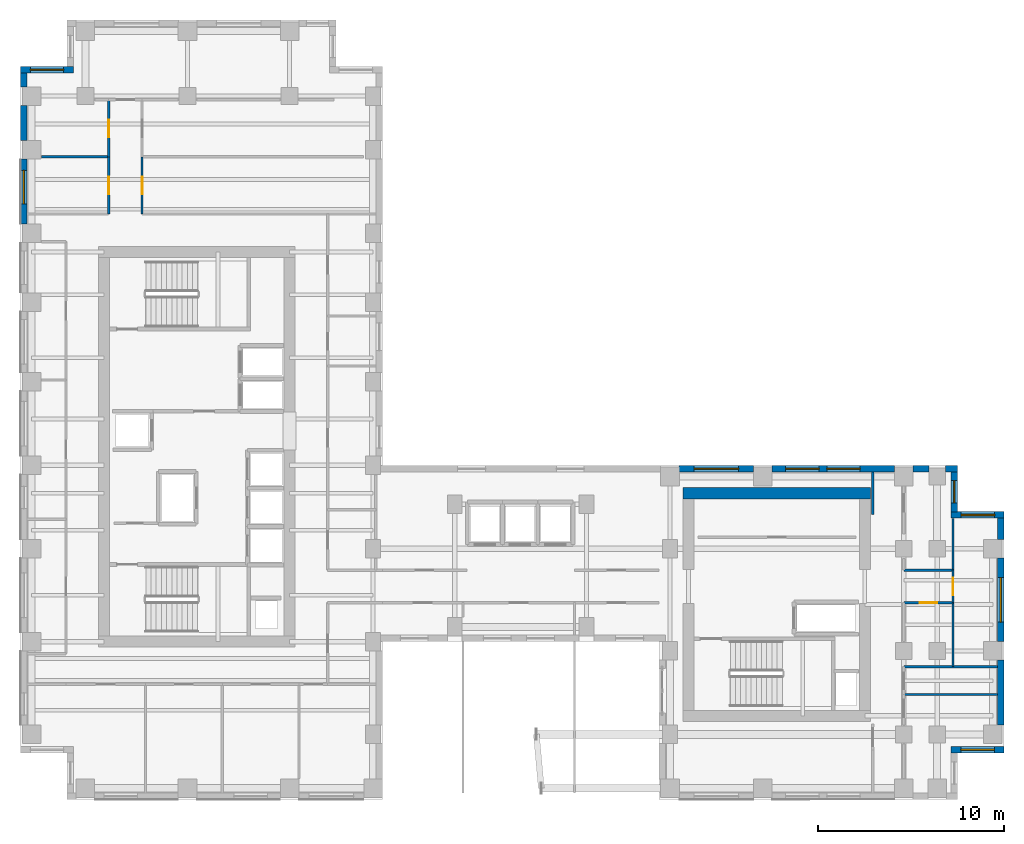
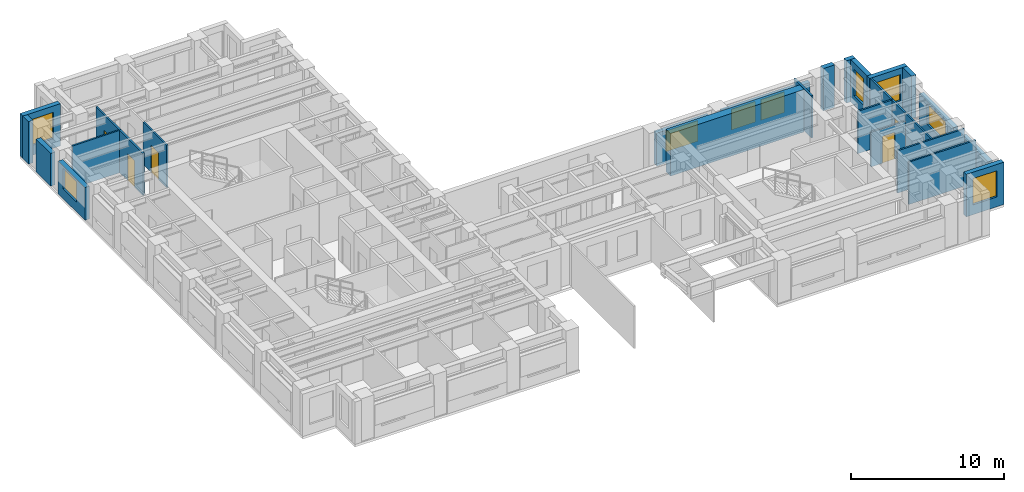
# One storey, part 10 of 13: 27 walls, 9 windows, 5 doors, 14 openings.
"""IFC4 building model written with IfcOpenShell, lengths in metres."""

from ifc_helpers import new_model, si_unit, direction, frame, frame_2d, origin, place, context, subcontext, project, spatial, rectangle, extrude, source, transform, mapped, material, layer, layer_set, type_object, element, fill, save


model = new_model("IFC4")

# Units and contexts
model_context = context("Model", 3, precision=1e-05, world=origin(), true_north=direction((0.0, 1.0)))
body_context = subcontext(model_context, "Body", "Model", "MODEL_VIEW")
ifc_project = project(units=[si_unit("LENGTHUNIT", "METRE"), si_unit("AREAUNIT", "SQUARE_METRE"), si_unit("VOLUMEUNIT", "CUBIC_METRE"), si_unit("PLANEANGLEUNIT", "RADIAN"), si_unit("MASSUNIT", "GRAM", prefix="KILO")], contexts=[model_context])

# Site, building, storey
site_placement = place(None, origin())
site = spatial("IfcSite", under=ifc_project, at=site_placement, CompositionType="ELEMENT")
building_placement = place(site_placement, origin())
building = spatial("IfcBuilding", under=site, at=building_placement, Name="Kharzan Plaza Tower", CompositionType="ELEMENT")
storey_placement = place(building_placement, frame((0.0, 0.0, 189.89990234375)))
storey = spatial("IfcBuildingStorey", under=building, at=storey_placement, Name="L51", CompositionType="ELEMENT", Elevation=189.89990234375)

# Wall, opening, window
ifc_material_1 = material(Name="Concrete C40/50", Category="concrete")
ifc_layer_1 = layer(ifc_material_1, 0.35009765625)
ifc_layer_set_1 = layer_set([ifc_layer_1], Name="Concrete C40/50")
wall_type_1 = type_object("IfcWallType", Name="WL-EXT-MAS-Z3", PredefinedType="SOLIDWALL", material=ifc_layer_set_1)
wall_1_placement = place(storey_placement, frame((2.85009765625, 39.324951171875, 0.0), z_axis=(0.0, 0.0, 1.0), x_axis=(-1.0, 0.0, 0.0)))
wall_1 = element("IfcWall", 1, at=wall_1_placement, inside=storey, type_object=wall_type_1, Name="L51 Masonry-Frame Exterior Wall 08", PredefinedType="SOLIDWALL", context=body_context, shape_type="SweptSolid", body=[
    extrude(rectangle(XDim=2.85009765625, YDim=0.35009765625, at=frame_2d((1.425048828125, 0.0))), origin(), (0.0, 0.0, 1.0), 3.385009765625),
])
opening_1_placement = place(wall_1_placement, frame((0.52490234375, 0.0, 0.780029296875)))
opening_1 = element("IfcOpeningElement", 2, at=opening_1_placement, cuts=wall_1, Name="Opening W1", PredefinedType="OPENING", context=body_context, shape_type="SweptSolid", body=[
    extrude(rectangle(XDim=1.800048828125, YDim=2.10009765625, at=frame_2d((0.89990234375, 1.050048828125))), frame((0.0, 0.18505859375, 0.0), z_axis=(0.0, -1.0, 0.0), x_axis=(1.0, 0.0, 0.0)), (0.0, 0.0, 1.0), 0.3701171875),
])
ifc_material_2 = material(Name="Low-E Double Glazing", Category="glass")
window_type_1 = type_object("IfcWindowType", Name="WN-REC-1800x2100", PartitioningType="SINGLE_PANEL", PredefinedType="WINDOW", material=ifc_material_2)
shared_shape_1 = source(origin(), body_context, "Body", "SweptSolid", [
    extrude(rectangle(XDim=1.800048828125, YDim=2.10009765625, at=frame_2d((0.89990234375, 1.050048828125))), frame((0.0, 0.030029296875, 0.0), z_axis=(0.0, -1.0, 0.0), x_axis=(1.0, 0.0, 0.0)), (0.0, 0.0, 1.0), 0.06005859375),
])
window_1_placement = place(opening_1_placement, origin())
window_1 = element("IfcWindow", 3, at=window_1_placement, inside=storey, type_object=window_type_1, Name="L51 Recessed Solar-Control Window 08-1", OverallHeight=2.10009765625, OverallWidth=1.800048828125, PartitioningType="SINGLE_PANEL", PredefinedType="WINDOW", context=body_context, shape_type="MappedRepresentation", body=[
    mapped(shared_shape_1, transform((0.0, 0.0, 0.0), x_axis=(1.0, 0.0, 0.0), y_axis=(0.0, 1.0, 0.0), z_axis=(0.0, 0.0, 1.0))),
])
fill(opening_1, window_1)

wall_2_placement = place(storey_placement, frame((0.175048828125, 34.501953125, 0.0), z_axis=(0.0, 0.0, 1.0), x_axis=(0.0, -1.0, 0.0)))
wall_2 = element("IfcWall", 4, at=wall_2_placement, inside=storey, type_object=wall_type_1, Name="L51 Masonry-Frame Exterior Wall 11", PredefinedType="SOLIDWALL", context=body_context, shape_type="SweptSolid", body=[
    extrude(rectangle(XDim=3.50390625, YDim=0.35009765625, at=frame_2d((1.751953125, 0.0))), origin(), (0.0, 0.0, 1.0), 2.612060546875),
])
opening_2_placement = place(wall_2_placement, frame((0.611083984375, 0.0, 0.780029296875)))
opening_2 = element("IfcOpeningElement", 5, at=opening_2_placement, cuts=wall_2, Name="Opening W1", PredefinedType="OPENING", context=body_context, shape_type="SweptSolid", body=[
    extrude(rectangle(XDim=1.800048828125, YDim=1.652099609375, at=frame_2d((0.89990234375, 0.826171875))), frame((0.0, 0.18505859375, 0.0), z_axis=(0.0, -1.0, 0.0), x_axis=(1.0, 0.0, 0.0)), (0.0, 0.0, 1.0), 0.3701171875),
])
shared_shape_2 = source(origin(), body_context, "Body", "SweptSolid", [
    extrude(rectangle(XDim=1.800048828125, YDim=1.652099609375, at=frame_2d((0.89990234375, 0.826171875))), frame((0.0, 0.030029296875, 0.0), z_axis=(0.0, -1.0, 0.0), x_axis=(1.0, 0.0, 0.0)), (0.0, 0.0, 1.0), 0.06005859375),
])
window_2_placement = place(opening_2_placement, origin())
window_2 = element("IfcWindow", 6, at=window_2_placement, inside=storey, type_object=window_type_1, Name="L51 Recessed Solar-Control Window 11-1", OverallHeight=1.652099609375, OverallWidth=1.800048828125, PartitioningType="SINGLE_PANEL", PredefinedType="WINDOW", context=body_context, shape_type="MappedRepresentation", body=[
    mapped(shared_shape_2, transform((0.0, 0.0, 0.0), x_axis=(1.0, 0.0, 0.0), y_axis=(0.0, 1.0, 0.0), z_axis=(0.0, 0.0, 1.0))),
])
fill(opening_2, window_2)

wall_3_placement = place(storey_placement, frame((50.14990234375, 2.675048828125, 0.0), z_axis=(0.0, 0.0, 1.0), x_axis=(1.0, 0.0, 0.0)))
wall_3 = element("IfcWall", 7, at=wall_3_placement, inside=storey, type_object=wall_type_1, Name="L51 Masonry-Frame Exterior Wall 37", PredefinedType="SOLIDWALL", context=body_context, shape_type="SweptSolid", body=[
    extrude(rectangle(XDim=2.85009765625, YDim=0.35009765625, at=frame_2d((1.425048828125, 0.0))), origin(), (0.0, 0.0, 1.0), 3.385009765625),
])
opening_3_placement = place(wall_3_placement, frame((0.52490234375, 0.0, 0.780029296875)))
opening_3 = element("IfcOpeningElement", 8, at=opening_3_placement, cuts=wall_3, Name="Opening W1", PredefinedType="OPENING", context=body_context, shape_type="SweptSolid", body=[
    extrude(rectangle(XDim=1.800048828125, YDim=2.10009765625, at=frame_2d((0.89990234375, 1.050048828125))), frame((0.0, 0.18505859375, 0.0), z_axis=(0.0, -1.0, 0.0), x_axis=(1.0, 0.0, 0.0)), (0.0, 0.0, 1.0), 0.3701171875),
])
window_3_placement = place(opening_3_placement, origin())
window_3 = element("IfcWindow", 9, at=window_3_placement, inside=storey, type_object=window_type_1, Name="L51 Recessed Solar-Control Window 37-1", OverallHeight=2.10009765625, OverallWidth=1.800048828125, PartitioningType="SINGLE_PANEL", PredefinedType="WINDOW", context=body_context, shape_type="MappedRepresentation", body=[
    mapped(shared_shape_1, transform((0.0, 0.0, 0.0), x_axis=(1.0, 0.0, 0.0), y_axis=(0.0, 1.0, 0.0), z_axis=(0.0, 0.0, 1.0))),
])
fill(opening_3, window_3)

wall_4_placement = place(storey_placement, frame((52.824951171875, 8.498046875, 0.0), z_axis=(0.0, 0.0, 1.0), x_axis=(0.0, 1.0, 0.0)))
wall_4 = element("IfcWall", 10, at=wall_4_placement, inside=storey, type_object=wall_type_1, Name="L51 Masonry-Frame Exterior Wall 39", PredefinedType="SOLIDWALL", context=body_context, shape_type="SweptSolid", body=[
    extrude(rectangle(XDim=4.50390625, YDim=0.35009765625, at=frame_2d((2.251953125, 0.0))), origin(), (0.0, 0.0, 1.0), 2.612060546875),
])
opening_4_placement = place(wall_4_placement, frame((1.052001953125, 0.0, 0.780029296875)))
opening_4 = element("IfcOpeningElement", 11, at=opening_4_placement, cuts=wall_4, Name="Opening W2", PredefinedType="OPENING", context=body_context, shape_type="SweptSolid", body=[
    extrude(rectangle(XDim=2.39990234375, YDim=1.652099609375, at=frame_2d((1.199951171875, 0.826171875))), frame((0.0, 0.18505859375, 0.0), z_axis=(0.0, -1.0, 0.0), x_axis=(1.0, 0.0, 0.0)), (0.0, 0.0, 1.0), 0.3701171875),
])
window_type_2 = type_object("IfcWindowType", Name="WN-REC-2400x2100", PartitioningType="SINGLE_PANEL", PredefinedType="WINDOW", material=ifc_material_2)
shared_shape_3 = source(origin(), body_context, "Body", "SweptSolid", [
    extrude(rectangle(XDim=2.39990234375, YDim=1.652099609375, at=frame_2d((1.199951171875, 0.826171875))), frame((0.0, 0.030029296875, 0.0), z_axis=(0.0, -1.0, 0.0), x_axis=(1.0, 0.0, 0.0)), (0.0, 0.0, 1.0), 0.06005859375),
])
window_4_placement = place(opening_4_placement, origin())
window_4 = element("IfcWindow", 12, at=window_4_placement, inside=storey, type_object=window_type_2, Name="L51 Wide Recessed Solar-Control Window 39-1", OverallHeight=1.652099609375, OverallWidth=2.39990234375, PartitioningType="SINGLE_PANEL", PredefinedType="WINDOW", context=body_context, shape_type="MappedRepresentation", body=[
    mapped(shared_shape_3, transform((0.0, 0.0, 0.0), x_axis=(1.0, 0.0, 0.0), y_axis=(0.0, 1.0, 0.0), z_axis=(0.0, 0.0, 1.0))),
])
fill(opening_4, window_4)

wall_5_placement = place(storey_placement, frame((53.0, 15.324951171875, 0.0), z_axis=(0.0, 0.0, 1.0), x_axis=(-1.0, 0.0, 0.0)))
wall_5 = element("IfcWall", 13, at=wall_5_placement, inside=storey, type_object=wall_type_1, Name="L51 Masonry-Frame Exterior Wall 41", PredefinedType="SOLIDWALL", context=body_context, shape_type="SweptSolid", body=[
    extrude(rectangle(XDim=2.85009765625, YDim=0.35009765625, at=frame_2d((1.425048828125, 0.0))), origin(), (0.0, 0.0, 1.0), 3.385009765625),
])
opening_5_placement = place(wall_5_placement, frame((0.510009765625, 0.0, 0.780029296875)))
opening_5 = element("IfcOpeningElement", 14, at=opening_5_placement, cuts=wall_5, Name="Opening W1", PredefinedType="OPENING", context=body_context, shape_type="SweptSolid", body=[
    extrude(rectangle(XDim=1.800048828125, YDim=2.10009765625, at=frame_2d((0.89990234375, 1.050048828125))), frame((0.0, 0.18505859375, 0.0), z_axis=(0.0, -1.0, 0.0), x_axis=(1.0, 0.0, 0.0)), (0.0, 0.0, 1.0), 0.3701171875),
])
window_5_placement = place(opening_5_placement, origin())
window_5 = element("IfcWindow", 15, at=window_5_placement, inside=storey, type_object=window_type_1, Name="L51 Recessed Solar-Control Window 41-1", OverallHeight=2.10009765625, OverallWidth=1.800048828125, PartitioningType="SINGLE_PANEL", PredefinedType="WINDOW", context=body_context, shape_type="MappedRepresentation", body=[
    mapped(shared_shape_1, transform((0.0, 0.0, 0.0), x_axis=(1.0, 0.0, 0.0), y_axis=(0.0, 1.0, 0.0), z_axis=(0.0, 0.0, 1.0))),
])
fill(opening_5, window_5)

wall_6_placement = place(storey_placement, frame((50.324951171875, 15.498046875, 0.0), z_axis=(0.0, 0.0, 1.0), x_axis=(0.0, 1.0, 0.0)))
wall_6 = element("IfcWall", 16, at=wall_6_placement, inside=storey, type_object=wall_type_1, Name="L51 Masonry-Frame Exterior Wall 42", PredefinedType="SOLIDWALL", context=body_context, shape_type="SweptSolid", body=[
    extrude(rectangle(XDim=2.154052734375, YDim=0.35009765625, at=frame_2d((1.0771484375, 0.0))), origin(), (0.0, 0.0, 1.0), 3.385009765625),
])
opening_6_placement = place(wall_6_placement, frame((0.47705078125, 0.0, 0.780029296875)))
opening_6 = element("IfcOpeningElement", 17, at=opening_6_placement, cuts=wall_6, Name="Opening W3", PredefinedType="OPENING", context=body_context, shape_type="SweptSolid", body=[
    extrude(rectangle(XDim=1.199951171875, YDim=2.10009765625, at=frame_2d((0.60009765625, 1.050048828125))), frame((0.0, 0.18505859375, 0.0), z_axis=(0.0, -1.0, 0.0), x_axis=(1.0, 0.0, 0.0)), (0.0, 0.0, 1.0), 0.3701171875),
])
window_type_3 = type_object("IfcWindowType", Name="WN-REC-1200x2100", PartitioningType="SINGLE_PANEL", PredefinedType="WINDOW", material=ifc_material_2)
shared_shape_4 = source(origin(), body_context, "Body", "SweptSolid", [
    extrude(rectangle(XDim=1.199951171875, YDim=2.10009765625, at=frame_2d((0.60009765625, 1.050048828125))), frame((0.0, 0.030029296875, 0.0), z_axis=(0.0, -1.0, 0.0), x_axis=(1.0, 0.0, 0.0)), (0.0, 0.0, 1.0), 0.06005859375),
])
window_6_placement = place(opening_6_placement, origin())
window_6 = element("IfcWindow", 18, at=window_6_placement, inside=storey, type_object=window_type_3, Name="L51 Recessed Solar-Control Window 42-1", OverallHeight=2.10009765625, OverallWidth=1.199951171875, PartitioningType="SINGLE_PANEL", PredefinedType="WINDOW", context=body_context, shape_type="MappedRepresentation", body=[
    mapped(shared_shape_4, transform((0.0, 0.0, 0.0), x_axis=(1.0, 0.0, 0.0), y_axis=(0.0, 1.0, 0.0), z_axis=(0.0, 0.0, 1.0))),
])
fill(opening_6, window_6)

# Wall, openings, windows
wall_7_placement = place(storey_placement, frame((47.10205078125, 17.824951171875, 0.0), z_axis=(0.0, 0.0, 1.0), x_axis=(-1.0, 0.0, 0.0)))
wall_7 = element("IfcWall", 19, at=wall_7_placement, inside=storey, type_object=wall_type_1, Name="L51 Masonry-Frame Exterior Wall 45", PredefinedType="SOLIDWALL", context=body_context, shape_type="SweptSolid", body=[
    extrude(rectangle(XDim=6.60400390625, YDim=0.35009765625, at=frame_2d((3.302001953125, 0.0))), origin(), (0.0, 0.0, 1.0), 2.612060546875),
])
opening_7_placement = place(wall_7_placement, frame((1.849365234375, 0.0, 0.780029296875)))
opening_7 = element("IfcOpeningElement", 20, at=opening_7_placement, cuts=wall_7, Name="Opening W1", PredefinedType="OPENING", context=body_context, shape_type="SweptSolid", body=[
    extrude(rectangle(XDim=1.800048828125, YDim=1.652099609375, at=frame_2d((0.89990234375, 0.826171875))), frame((0.0, 0.18505859375, 0.0), z_axis=(0.0, -1.0, 0.0), x_axis=(1.0, 0.0, 0.0)), (0.0, 0.0, 1.0), 0.3701171875),
])
opening_8_placement = place(wall_7_placement, frame((4.066650390625, 0.0, 0.780029296875)))
opening_8 = element("IfcOpeningElement", 21, at=opening_8_placement, cuts=wall_7, Name="Opening W1", PredefinedType="OPENING", context=body_context, shape_type="SweptSolid", body=[
    extrude(rectangle(XDim=1.800048828125, YDim=1.652099609375, at=frame_2d((0.89990234375, 0.826171875))), frame((0.0, 0.18505859375, 0.0), z_axis=(0.0, -1.0, 0.0), x_axis=(1.0, 0.0, 0.0)), (0.0, 0.0, 1.0), 0.3701171875),
])
window_7_placement = place(opening_7_placement, origin())
window_7 = element("IfcWindow", 22, at=window_7_placement, inside=storey, type_object=window_type_1, Name="L51 Recessed Solar-Control Window 45-1", OverallHeight=1.652099609375, OverallWidth=1.800048828125, PartitioningType="SINGLE_PANEL", PredefinedType="WINDOW", context=body_context, shape_type="MappedRepresentation", body=[
    mapped(shared_shape_2, transform((0.0, 0.0, 0.0), x_axis=(1.0, 0.0, 0.0), y_axis=(0.0, 1.0, 0.0), z_axis=(0.0, 0.0, 1.0))),
])
fill(opening_7, window_7)
window_8_placement = place(opening_8_placement, origin())
window_8 = element("IfcWindow", 23, at=window_8_placement, inside=storey, type_object=window_type_1, Name="L51 Recessed Solar-Control Window 45-2", OverallHeight=1.652099609375, OverallWidth=1.800048828125, PartitioningType="SINGLE_PANEL", PredefinedType="WINDOW", context=body_context, shape_type="MappedRepresentation", body=[
    mapped(shared_shape_2, transform((0.0, 0.0, 0.0), x_axis=(1.0, 0.0, 0.0), y_axis=(0.0, 1.0, 0.0), z_axis=(0.0, 0.0, 1.0))),
])
fill(opening_8, window_8)

# Wall, opening, window
wall_8_placement = place(storey_placement, frame((39.501953125, 17.824951171875, 0.0), z_axis=(0.0, 0.0, 1.0), x_axis=(-1.0, 0.0, 0.0)))
wall_8 = element("IfcWall", 24, at=wall_8_placement, inside=storey, type_object=wall_type_1, Name="L51 Masonry-Frame Exterior Wall 46", PredefinedType="SOLIDWALL", context=body_context, shape_type="SweptSolid", body=[
    extrude(rectangle(XDim=4.00390625, YDim=0.35009765625, at=frame_2d((2.001953125, 0.0))), origin(), (0.0, 0.0, 1.0), 2.612060546875),
])
opening_9_placement = place(wall_8_placement, frame((0.802001953125, 0.0, 0.780029296875)))
opening_9 = element("IfcOpeningElement", 25, at=opening_9_placement, cuts=wall_8, Name="Opening W2", PredefinedType="OPENING", context=body_context, shape_type="SweptSolid", body=[
    extrude(rectangle(XDim=2.39990234375, YDim=1.652099609375, at=frame_2d((1.199951171875, 0.826171875))), frame((0.0, 0.18505859375, 0.0), z_axis=(0.0, -1.0, 0.0), x_axis=(1.0, 0.0, 0.0)), (0.0, 0.0, 1.0), 0.3701171875),
])
window_9_placement = place(opening_9_placement, origin())
window_9 = element("IfcWindow", 26, at=window_9_placement, inside=storey, type_object=window_type_2, Name="L51 Wide Recessed Solar-Control Window 46-1", OverallHeight=1.652099609375, OverallWidth=2.39990234375, PartitioningType="SINGLE_PANEL", PredefinedType="WINDOW", context=body_context, shape_type="MappedRepresentation", body=[
    mapped(shared_shape_3, transform((0.0, 0.0, 0.0), x_axis=(1.0, 0.0, 0.0), y_axis=(0.0, 1.0, 0.0), z_axis=(0.0, 0.0, 1.0))),
])
fill(opening_9, window_9)

# Wall, opening, door
ifc_material_3 = material(Name="Fire-Rated Gypsum Board Partition", Category="gypsum")
ifc_layer_2 = layer(ifc_material_3, 0.125)
ifc_layer_set_2 = layer_set([ifc_layer_2], Name="Fire-Rated Gypsum Board Partition")
wall_type_2 = type_object("IfcWallType", Name="WL-INT-PART-125", PredefinedType="PARTITIONING", material=ifc_layer_set_2)
wall_9_placement = place(storey_placement, frame((50.25, 10.60009765625, 0.0), z_axis=(0.0, 0.0, 1.0), x_axis=(0.0, 1.0, 0.0)))
wall_9 = element("IfcWall", 27, at=wall_9_placement, inside=storey, type_object=wall_type_2, Name="L51 Interior Partition SH-B2E2", PredefinedType="PARTITIONING", context=body_context, shape_type="SweptSolid", body=[
    extrude(rectangle(XDim=1.75, YDim=0.125, at=frame_2d((0.875, 0.0))), origin(), (0.0, 0.0, 1.0), 3.385009765625),
])
opening_10_placement = place(wall_9_placement, frame((0.39990234375, 0.0, 0.0)))
opening_10 = element("IfcOpeningElement", 28, at=opening_10_placement, cuts=wall_9, Name="Opening OD1", PredefinedType="OPENING", context=body_context, shape_type="SweptSolid", body=[
    extrude(rectangle(XDim=0.949951171875, YDim=2.14990234375, at=frame_2d((0.47509765625, 1.074951171875))), frame((0.0, 0.072509765625, 0.0), z_axis=(0.0, -1.0, 0.0), x_axis=(1.0, 0.0, 0.0)), (0.0, 0.0, 1.0), 0.14501953125),
])
ifc_material_4 = material(Name="Acoustic Solid-Core Stained Oak", Category="timber")
door_type = type_object("IfcDoorType", Name="DR-OFF-SINGLE", OperationType="NOTDEFINED", PredefinedType="DOOR", material=ifc_material_4)
shared_shape_5 = source(origin(), body_context, "Body", "SweptSolid", [
    extrude(rectangle(XDim=0.949951171875, YDim=2.14990234375, at=frame_2d((0.47509765625, 1.074951171875))), frame((0.0, 0.02490234375, 0.0), z_axis=(0.0, -1.0, 0.0), x_axis=(1.0, 0.0, 0.0)), (0.0, 0.0, 1.0), 0.050048828125),
])
door_1_placement = place(opening_10_placement, origin())
door_1 = element("IfcDoor", 29, at=door_1_placement, inside=storey, type_object=door_type, Name="L51 East Boardroom Door", OperationType="SINGLE_SWING_RIGHT", OverallHeight=2.14990234375, OverallWidth=0.949951171875, PredefinedType="DOOR", context=body_context, shape_type="MappedRepresentation", body=[
    mapped(shared_shape_5, transform((0.0, 0.0, 0.0), x_axis=(1.0, 0.0, 0.0), y_axis=(0.0, 1.0, 0.0), z_axis=(0.0, 0.0, 1.0))),
])
fill(opening_10, door_1)

wall_10_placement = place(storey_placement, frame((47.60009765625, 10.60009765625, 0.0), z_axis=(0.0, 0.0, 1.0), x_axis=(1.0, 0.0, 0.0)))
wall_10 = element("IfcWall", 30, at=wall_10_placement, inside=storey, type_object=wall_type_2, Name="L51 Interior Partition SH-B2S1", PredefinedType="PARTITIONING", context=body_context, shape_type="SweptSolid", body=[
    extrude(rectangle(XDim=2.64990234375, YDim=0.125, at=frame_2d((1.324951171875, 0.0))), origin(), (0.0, 0.0, 1.0), 2.773193359375),
])
opening_11_placement = place(wall_10_placement, frame((0.85009765625, 0.0, 0.0)))
opening_11 = element("IfcOpeningElement", 31, at=opening_11_placement, cuts=wall_10, Name="Opening OD1", PredefinedType="OPENING", context=body_context, shape_type="SweptSolid", body=[
    extrude(rectangle(XDim=0.949951171875, YDim=2.14990234375, at=frame_2d((0.47509765625, 1.074951171875))), frame((0.0, 0.072509765625, 0.0), z_axis=(0.0, -1.0, 0.0), x_axis=(1.0, 0.0, 0.0)), (0.0, 0.0, 1.0), 0.14501953125),
])
door_2_placement = place(opening_11_placement, origin())
door_2 = element("IfcDoor", 32, at=door_2_placement, inside=storey, type_object=door_type, Name="L51 Spur South Office Door", OperationType="SINGLE_SWING_LEFT", OverallHeight=2.14990234375, OverallWidth=0.949951171875, PredefinedType="DOOR", context=body_context, shape_type="MappedRepresentation", body=[
    mapped(shared_shape_5, transform((0.0, 0.0, 0.0), x_axis=(1.0, 0.0, 0.0), y_axis=(0.0, 1.0, 0.0), z_axis=(0.0, 0.0, 1.0))),
])
fill(opening_11, door_2)

wall_11_placement = place(storey_placement, frame((6.550048828125, 31.550048828125, 0.0), z_axis=(0.0, 0.0, 1.0), x_axis=(0.0, 1.0, 0.0)))
wall_11 = element("IfcWall", 33, at=wall_11_placement, inside=storey, type_object=wall_type_2, Name="L51 Interior Partition SH-SPE-1", PredefinedType="PARTITIONING", context=body_context, shape_type="SweptSolid", body=[
    extrude(rectangle(XDim=3.074951171875, YDim=0.125, at=frame_2d((1.53759765625, 0.0))), origin(), (0.0, 0.0, 1.0), 3.385009765625),
])
opening_12_placement = place(wall_11_placement, frame((1.0625, 0.0, 0.0)))
opening_12 = element("IfcOpeningElement", 34, at=opening_12_placement, cuts=wall_11, Name="Opening OD1", PredefinedType="OPENING", context=body_context, shape_type="SweptSolid", body=[
    extrude(rectangle(XDim=0.949951171875, YDim=2.14990234375, at=frame_2d((0.47509765625, 1.074951171875))), frame((0.0, 0.072509765625, 0.0), z_axis=(0.0, -1.0, 0.0), x_axis=(1.0, 0.0, 0.0)), (0.0, 0.0, 1.0), 0.14501953125),
])
door_3_placement = place(opening_12_placement, origin())
door_3 = element("IfcDoor", 35, at=door_3_placement, inside=storey, type_object=door_type, Name="L51 Project Engineering Office Door", OperationType="SINGLE_SWING_LEFT", OverallHeight=2.14990234375, OverallWidth=0.949951171875, PredefinedType="DOOR", context=body_context, shape_type="MappedRepresentation", body=[
    mapped(shared_shape_5, transform((0.0, 0.0, 0.0), x_axis=(1.0, 0.0, 0.0), y_axis=(0.0, 1.0, 0.0), z_axis=(0.0, 0.0, 1.0))),
])
fill(opening_12, door_3)

wall_12_placement = place(storey_placement, frame((4.75, 31.550048828125, 0.0), z_axis=(0.0, 0.0, 1.0), x_axis=(0.0, 1.0, 0.0)))
wall_12 = element("IfcWall", 36, at=wall_12_placement, inside=storey, type_object=wall_type_2, Name="L51 Interior Partition SH-SPW-1", PredefinedType="PARTITIONING", context=body_context, shape_type="SweptSolid", body=[
    extrude(rectangle(XDim=3.074951171875, YDim=0.125, at=frame_2d((1.53759765625, 0.0))), origin(), (0.0, 0.0, 1.0), 3.385009765625),
])
opening_13_placement = place(wall_12_placement, frame((1.0625, 0.0, 0.0)))
opening_13 = element("IfcOpeningElement", 37, at=opening_13_placement, cuts=wall_12, Name="Opening OD1", PredefinedType="OPENING", context=body_context, shape_type="SweptSolid", body=[
    extrude(rectangle(XDim=0.949951171875, YDim=2.14990234375, at=frame_2d((0.47509765625, 1.074951171875))), frame((0.0, 0.072509765625, 0.0), z_axis=(0.0, -1.0, 0.0), x_axis=(1.0, 0.0, 0.0)), (0.0, 0.0, 1.0), 0.14501953125),
])
door_4_placement = place(opening_13_placement, origin())
door_4 = element("IfcDoor", 38, at=door_4_placement, inside=storey, type_object=door_type, Name="L51 Systems Planning Office Door", OperationType="SINGLE_SWING_LEFT", OverallHeight=2.14990234375, OverallWidth=0.949951171875, PredefinedType="DOOR", context=body_context, shape_type="MappedRepresentation", body=[
    mapped(shared_shape_5, transform((0.0, 0.0, 0.0), x_axis=(1.0, 0.0, 0.0), y_axis=(0.0, 1.0, 0.0), z_axis=(0.0, 0.0, 1.0))),
])
fill(opening_13, door_4)

wall_13_placement = place(storey_placement, frame((4.75, 34.625, 0.0), z_axis=(0.0, 0.0, 1.0), x_axis=(0.0, 1.0, 0.0)))
wall_13 = element("IfcWall", 39, at=wall_13_placement, inside=storey, type_object=wall_type_2, Name="L51 Interior Partition SH-SPW-2", PredefinedType="PARTITIONING", context=body_context, shape_type="SweptSolid", body=[
    extrude(rectangle(XDim=3.074951171875, YDim=0.125, at=frame_2d((1.53759765625, 0.0))), origin(), (0.0, 0.0, 1.0), 3.385009765625),
])
opening_14_placement = place(wall_13_placement, frame((1.0625, 0.0, 0.0)))
opening_14 = element("IfcOpeningElement", 40, at=opening_14_placement, cuts=wall_13, Name="Opening OD1", PredefinedType="OPENING", context=body_context, shape_type="SweptSolid", body=[
    extrude(rectangle(XDim=0.949951171875, YDim=2.14990234375, at=frame_2d((0.47509765625, 1.074951171875))), frame((0.0, 0.072509765625, 0.0), z_axis=(0.0, -1.0, 0.0), x_axis=(1.0, 0.0, 0.0)), (0.0, 0.0, 1.0), 0.14501953125),
])
door_5_placement = place(opening_14_placement, origin())
door_5 = element("IfcDoor", 41, at=door_5_placement, inside=storey, type_object=door_type, Name="L51 Open Office Workspace Door", OperationType="SINGLE_SWING_RIGHT", OverallHeight=2.14990234375, OverallWidth=0.949951171875, PredefinedType="DOOR", context=body_context, shape_type="MappedRepresentation", body=[
    mapped(shared_shape_5, transform((0.0, 0.0, 0.0), x_axis=(1.0, 0.0, 0.0), y_axis=(0.0, 1.0, 0.0), z_axis=(0.0, 0.0, 1.0))),
])
fill(opening_14, door_5)

# Walls
shared_shape_6 = source(origin(), body_context, "Body", "SweptSolid", [
    extrude(rectangle(XDim=0.754150390625, YDim=0.35009765625, at=frame_2d((0.376953125, 0.0))), origin(), (0.0, 0.0, 1.0), 3.385009765625),
])
wall_14_placement = place(storey_placement, frame((0.175048828125, 39.152099609375, 0.0), z_axis=(0.0, 0.0, 1.0), x_axis=(0.0, -1.0, 0.0)))
element("IfcWall", 42, at=wall_14_placement, inside=storey, type_object=wall_type_1, Name="L51 Masonry-Frame Exterior Wall 09", PredefinedType="SOLIDWALL", context=body_context, shape_type="MappedRepresentation", body=[
    mapped(shared_shape_6, transform((0.0, 0.0, 0.0), x_axis=(1.0, 0.0, 0.0), y_axis=(0.0, 1.0, 0.0), z_axis=(0.0, 0.0, 1.0))),
])
shared_shape_7 = source(origin(), body_context, "Body", "SweptSolid", [
    extrude(rectangle(XDim=1.154052734375, YDim=0.35009765625, at=frame_2d((0.5771484375, 0.0))), origin(), (0.0, 0.0, 1.0), 3.385009765625),
])
wall_15_placement = place(storey_placement, frame((52.824951171875, 13.998046875, 0.0), z_axis=(0.0, 0.0, 1.0), x_axis=(0.0, 1.0, 0.0)))
element("IfcWall", 43, at=wall_15_placement, inside=storey, type_object=wall_type_1, Name="L51 Masonry-Frame Exterior Wall 40", PredefinedType="SOLIDWALL", context=body_context, shape_type="MappedRepresentation", body=[
    mapped(shared_shape_7, transform((0.0, 0.0, 0.0), x_axis=(1.0, 0.0, 0.0), y_axis=(0.0, 1.0, 0.0), z_axis=(0.0, 0.0, 1.0))),
])
shared_shape_8 = source(origin(), body_context, "Body", "SweptSolid", [
    extrude(rectangle(XDim=0.652099609375, YDim=0.35009765625, at=frame_2d((0.326171875, 0.0))), origin(), (0.0, 0.0, 1.0), 3.385009765625),
])
wall_16_placement = place(storey_placement, frame((50.5, 17.824951171875, 0.0), z_axis=(0.0, 0.0, 1.0), x_axis=(-1.0, 0.0, 0.0)))
element("IfcWall", 44, at=wall_16_placement, inside=storey, type_object=wall_type_1, Name="L51 Masonry-Frame Exterior Wall 43", PredefinedType="SOLIDWALL", context=body_context, shape_type="MappedRepresentation", body=[
    mapped(shared_shape_8, transform((0.0, 0.0, 0.0), x_axis=(1.0, 0.0, 0.0), y_axis=(0.0, 1.0, 0.0), z_axis=(0.0, 0.0, 1.0))),
])
shared_shape_9 = source(origin(), body_context, "Body", "SweptSolid", [
    extrude(rectangle(XDim=0.85400390625, YDim=0.35009765625, at=frame_2d((0.427001953125, 0.0))), origin(), (0.0, 0.0, 1.0), 3.385009765625),
])
wall_17_placement = place(storey_placement, frame((48.951904296875, 17.824951171875, 0.0), z_axis=(0.0, 0.0, 1.0), x_axis=(-1.0, 0.0, 0.0)))
element("IfcWall", 45, at=wall_17_placement, inside=storey, type_object=wall_type_1, Name="L51 Masonry-Frame Exterior Wall 44", PredefinedType="SOLIDWALL", context=body_context, shape_type="MappedRepresentation", body=[
    mapped(shared_shape_9, transform((0.0, 0.0, 0.0), x_axis=(1.0, 0.0, 0.0), y_axis=(0.0, 1.0, 0.0), z_axis=(0.0, 0.0, 1.0))),
])
shared_shape_10 = source(origin(), body_context, "Body", "SweptSolid", [
    extrude(rectangle(XDim=5.0478515625, YDim=0.125, at=frame_2d((2.52392578125, 0.0))), origin(), (0.0, 0.0, 1.0), 3.385009765625),
])
for number, where, z_axis, x_axis, name in (
    (46, (47.60009765625, 5.64990234375, 0.0), (0.0, 0.0, 1.0), (1.0, 0.0, 0.0), "L51 Interior Partition SH-B2H1"),
    (47, (47.60009765625, 7.14990234375, 0.0), (0.0, 0.0, 1.0), (1.0, 0.0, 0.0), "L51 Interior Partition SH-B2H2"),
):
    element("IfcWall", number, at=place(storey_placement, frame(where, z_axis=z_axis, x_axis=x_axis)), inside=storey, type_object=wall_type_2, Name=name, PredefinedType="PARTITIONING", context=body_context, shape_type="MappedRepresentation", body=[
        mapped(shared_shape_10, transform((0.0, 0.0, 0.0), x_axis=(1.0, 0.0, 0.0), y_axis=(0.0, 1.0, 0.0), z_axis=(0.0, 0.0, 1.0))),
    ])
shared_shape_11 = source(origin(), body_context, "Body", "SweptSolid", [
    extrude(rectangle(XDim=3.6298828125, YDim=0.125, at=frame_2d((1.81494140625, 0.0))), origin(), (0.0, 0.0, 1.0), 3.385009765625),
])
wall_18_placement = place(storey_placement, frame((1.1201171875, 34.625, 0.0), z_axis=(0.0, 0.0, 1.0), x_axis=(1.0, 0.0, 0.0)))
element("IfcWall", 48, at=wall_18_placement, inside=storey, type_object=wall_type_2, Name="L51 Interior Partition SH-NWH-1", PredefinedType="PARTITIONING", context=body_context, shape_type="MappedRepresentation", body=[
    mapped(shared_shape_11, transform((0.0, 0.0, 0.0), x_axis=(1.0, 0.0, 0.0), y_axis=(0.0, 1.0, 0.0), z_axis=(0.0, 0.0, 1.0))),
])
shared_shape_12 = source(origin(), body_context, "Body", "SweptSolid", [
    extrude(rectangle(XDim=2.2978515625, YDim=0.125, at=frame_2d((1.14892578125, 0.0))), origin(), (0.0, 0.0, 1.0), 3.385009765625),
])
wall_19_placement = place(storey_placement, frame((45.919921875, 15.35009765625, 0.0), z_axis=(0.0, 0.0, 1.0), x_axis=(0.0, 1.0, 0.0)))
element("IfcWall", 49, at=wall_19_placement, inside=storey, type_object=wall_type_2, Name="L51 Interior Partition SH-RBNE0", PredefinedType="PARTITIONING", context=body_context, shape_type="MappedRepresentation", body=[
    mapped(shared_shape_12, transform((0.0, 0.0, 0.0), x_axis=(1.0, 0.0, 0.0), y_axis=(0.0, 1.0, 0.0), z_axis=(0.0, 0.0, 1.0))),
])
ifc_material_5 = material(Name="Concrete C50/60", Category="concrete")
ifc_layer_3 = layer(ifc_material_5, 0.60009765625)
ifc_layer_set_3 = layer_set([ifc_layer_3], Name="Concrete C50/60")
wall_type_3 = type_object("IfcWallType", Name="WL-CORE-600", PredefinedType="SHEAR", material=ifc_layer_set_3)
shared_shape_13 = source(origin(), body_context, "Body", "SweptSolid", [
    extrude(rectangle(XDim=10.10009765625, YDim=0.60009765625, at=frame_2d((5.050048828125, 0.0))), origin(), (0.0, 0.0, 1.0), 3.400146484375),
])
wall_20_placement = place(storey_placement, frame((35.699951171875, 16.5, 0.0), z_axis=(0.0, 0.0, 1.0), x_axis=(1.0, 0.0, 0.0)))
element("IfcWall", 50, at=wall_20_placement, inside=storey, type_object=wall_type_3, Name="L51 CORE-B north RC shear wall", PredefinedType="SHEAR", context=body_context, shape_type="MappedRepresentation", body=[
    mapped(shared_shape_13, transform((0.0, 0.0, 0.0), x_axis=(1.0, 0.0, 0.0), y_axis=(0.0, 1.0, 0.0), z_axis=(0.0, 0.0, 1.0))),
])
shared_shape_14 = source(origin(), body_context, "Body", "SweptSolid", [
    extrude(rectangle(XDim=1.904052734375, YDim=0.35009765625, at=frame_2d((0.9521484375, 0.0))), origin(), (0.0, 0.0, 1.0), 2.612060546875),
])
wall_21_placement = place(storey_placement, frame((0.175048828125, 37.402099609375, 0.0), z_axis=(0.0, 0.0, 1.0), x_axis=(0.0, -1.0, 0.0)))
element("IfcWall", 51, at=wall_21_placement, inside=storey, type_object=wall_type_1, Name="L51 Masonry-Frame Exterior Wall 10", PredefinedType="SOLIDWALL", context=body_context, shape_type="MappedRepresentation", body=[
    mapped(shared_shape_14, transform((0.0, 0.0, 0.0), x_axis=(1.0, 0.0, 0.0), y_axis=(0.0, 1.0, 0.0), z_axis=(0.0, 0.0, 1.0))),
])
shared_shape_15 = source(origin(), body_context, "Body", "SweptSolid", [
    extrude(rectangle(XDim=3.50390625, YDim=0.35009765625, at=frame_2d((1.751953125, 0.0))), origin(), (0.0, 0.0, 1.0), 2.612060546875),
])
wall_22_placement = place(storey_placement, frame((52.824951171875, 3.998046875, 0.0), z_axis=(0.0, 0.0, 1.0), x_axis=(0.0, 1.0, 0.0)))
element("IfcWall", 52, at=wall_22_placement, inside=storey, type_object=wall_type_1, Name="L51 Masonry-Frame Exterior Wall 38", PredefinedType="SOLIDWALL", context=body_context, shape_type="MappedRepresentation", body=[
    mapped(shared_shape_15, transform((0.0, 0.0, 0.0), x_axis=(1.0, 0.0, 0.0), y_axis=(0.0, 1.0, 0.0), z_axis=(0.0, 0.0, 1.0))),
])
shared_shape_16 = source(origin(), body_context, "Body", "SweptSolid", [
    extrude(rectangle(XDim=2.64990234375, YDim=0.125, at=frame_2d((1.324951171875, 0.0))), origin(), (0.0, 0.0, 1.0), 3.385009765625),
])
wall_23_placement = place(storey_placement, frame((47.60009765625, 12.35009765625, 0.0), z_axis=(0.0, 0.0, 1.0), x_axis=(1.0, 0.0, 0.0)))
element("IfcWall", 53, at=wall_23_placement, inside=storey, type_object=wall_type_2, Name="L51 Interior Partition SH-B2N3", PredefinedType="PARTITIONING", context=body_context, shape_type="MappedRepresentation", body=[
    mapped(shared_shape_16, transform((0.0, 0.0, 0.0), x_axis=(1.0, 0.0, 0.0), y_axis=(0.0, 1.0, 0.0), z_axis=(0.0, 0.0, 1.0))),
])
shared_shape_17 = source(origin(), body_context, "Body", "SweptSolid", [
    extrude(rectangle(XDim=3.4501953125, YDim=0.125, at=frame_2d((1.72509765625, 0.0))), origin(), (0.0, 0.0, 1.0), 3.385009765625),
])
wall_24_placement = place(storey_placement, frame((50.25, 7.14990234375, 0.0), z_axis=(0.0, 0.0, 1.0), x_axis=(0.0, 1.0, 0.0)))
element("IfcWall", 54, at=wall_24_placement, inside=storey, type_object=wall_type_2, Name="L51 Interior Partition SH-B2V1", PredefinedType="PARTITIONING", context=body_context, shape_type="MappedRepresentation", body=[
    mapped(shared_shape_17, transform((0.0, 0.0, 0.0), x_axis=(1.0, 0.0, 0.0), y_axis=(0.0, 1.0, 0.0), z_axis=(0.0, 0.0, 1.0))),
])
shared_shape_18 = source(origin(), body_context, "Body", "SweptSolid", [
    extrude(rectangle(XDim=2.7978515625, YDim=0.125, at=frame_2d((1.39892578125, 0.0))), origin(), (0.0, 0.0, 1.0), 3.385009765625),
])
wall_25_placement = place(storey_placement, frame((50.25, 12.35009765625, 0.0), z_axis=(0.0, 0.0, 1.0), x_axis=(0.0, 1.0, 0.0)))
element("IfcWall", 55, at=wall_25_placement, inside=storey, type_object=wall_type_2, Name="L51 Interior Partition SH-B2V2", PredefinedType="PARTITIONING", context=body_context, shape_type="MappedRepresentation", body=[
    mapped(shared_shape_18, transform((0.0, 0.0, 0.0), x_axis=(1.0, 0.0, 0.0), y_axis=(0.0, 1.0, 0.0), z_axis=(0.0, 0.0, 1.0))),
])

save(model, "model.ifc")
